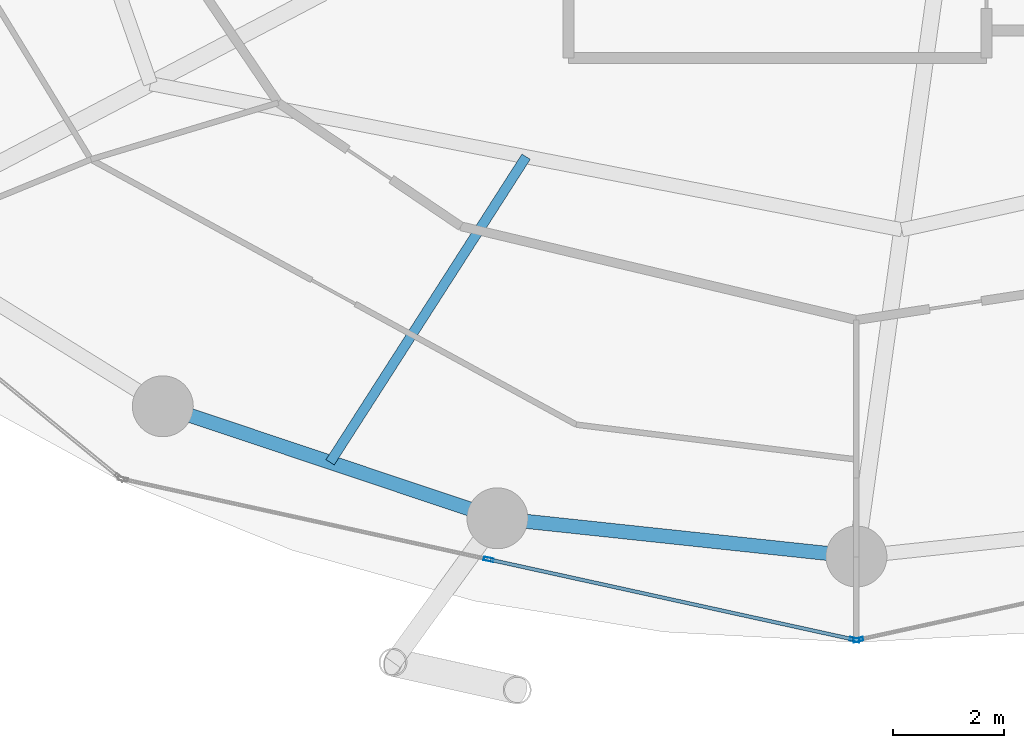
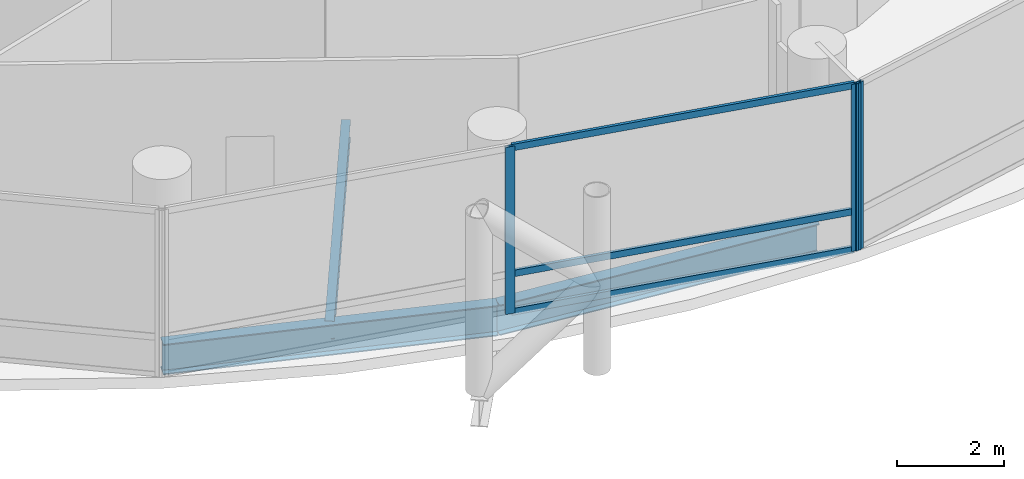
# One storey, part 4 of 25: 6 members, 3 beams, 2 elements without a shape of their own.
"""IFC4 building model written with IfcOpenShell, lengths in metres."""

from ifc_helpers import new_model, si_unit, direction, frame, origin, origin_2d, place, context, subcontext, project, spatial, hollow_rectangle, i_section, extrude, material, layer, layer_set, material_profile, profile_set, type_object, element, aggregate, save


model = new_model("IFC4")

# Units and contexts
model_context = context("Model", 3, precision=1e-05, world=origin(), true_north=direction((0.0, 1.0)))
body_context = subcontext(model_context, "Body", "Model", "MODEL_VIEW")
ifc_project = project(units=[si_unit("LENGTHUNIT", "METRE"), si_unit("AREAUNIT", "SQUARE_METRE"), si_unit("VOLUMEUNIT", "CUBIC_METRE"), si_unit("PLANEANGLEUNIT", "RADIAN"), si_unit("MASSUNIT", "GRAM", prefix="KILO")], contexts=[model_context])

# Site, building, storey
site_placement = place(None, origin())
site = spatial("IfcSite", under=ifc_project, at=site_placement, CompositionType="ELEMENT")
building_placement = place(site_placement, origin())
building = spatial("IfcBuilding", under=site, at=building_placement, Name="Nuhasar Tower", CompositionType="ELEMENT")
storey_placement = place(building_placement, frame((0.0, 0.0, 65.550048828125)))
storey = spatial("IfcBuildingStorey", under=building, at=storey_placement, Name="L15", CompositionType="ELEMENT", Elevation=65.550048828125)

# Beams
ifc_material_1 = material(Name="Steel S355", Category="steel")
ifc_material_profile_1 = material_profile(ifc_material_1, i_section(OverallWidth=0.177978515625, OverallDepth=0.406005859375, WebThickness=0.0078125, FlangeThickness=0.0126953125, at=origin_2d()), Name="W16X40")
ifc_profile_set_1 = profile_set([ifc_material_profile_1], Name="Steel S355")
beam_type_1 = type_object("IfcBeamType", Name="BM-JST-W16X40", PredefinedType="JOIST", material=ifc_profile_set_1)
beam_1_placement = place(storey_placement, frame((33.035888671875, 13.77001953125, -0.453125), z_axis=(-0.539944240715, -0.841700788237, 0.0), x_axis=(0.841700788237, -0.539944240715, 0.0)))
element("IfcBeam", 1, at=beam_1_placement, inside=storey, type_object=beam_type_1, Name="L15 Secondary Floor Joist 01", PredefinedType="JOIST", context=body_context, shape_type="SweptSolid", body=[
    extrude(i_section(OverallWidth=0.177978515625, OverallDepth=0.406005859375, WebThickness=0.0078125, FlangeThickness=0.0126953125, at=origin_2d()), origin(), (0.0, 0.0, 1.0), 6.555908203125),
])
ifc_material_profile_2 = material_profile(ifc_material_1, i_section(OverallWidth=0.256103515625, OverallDepth=0.693115234375, WebThickness=0.014404296875, FlangeThickness=0.023681640625, at=origin_2d()), Name="W27X114")
ifc_profile_set_2 = profile_set([ifc_material_profile_2], Name="Steel S355")
beam_type_2 = type_object("IfcBeamType", Name="BM-RING-W27X114", PredefinedType="SPANDREL", material=ifc_profile_set_2)
beam_2_placement = place(storey_placement, frame((26.47509765625, 9.262939453125, -0.59716796875), z_axis=(0.94826097201, -0.317491935271, 0.0), x_axis=(0.317491935271, 0.94826097201, 0.0)))
element("IfcBeam", 2, at=beam_2_placement, inside=storey, type_object=beam_type_2, Name="L15 Perimeter Ring Spandrel 17", PredefinedType="SPANDREL", context=body_context, shape_type="SweptSolid", body=[
    extrude(i_section(OverallWidth=0.256103515625, OverallDepth=0.693115234375, WebThickness=0.014404296875, FlangeThickness=0.023681640625, at=origin_2d()), origin(), (0.0, 0.0, 1.0), 6.37158203125),
])
beam_3_placement = place(storey_placement, frame((32.51708984375, 7.239990234375, -0.59716796875), z_axis=(0.994384554061, -0.105827022286, 0.0), x_axis=(0.105827022286, 0.994384554061, 0.0)))
element("IfcBeam", 3, at=beam_3_placement, inside=storey, type_object=beam_type_2, Name="L15 Perimeter Ring Spandrel 18", PredefinedType="SPANDREL", context=body_context, shape_type="SweptSolid", body=[
    extrude(i_section(OverallWidth=0.256103515625, OverallDepth=0.693115234375, WebThickness=0.014404296875, FlangeThickness=0.023681640625, at=origin_2d()), origin(), (0.0, 0.0, 1.0), 6.51953125),
])

# Curtain wall, members
ifc_material_2 = material(Name="Aluminium 6063-T6", Category="aluminium")
ifc_layer = layer(ifc_material_2, 0.199951171875)
ifc_layer_set = layer_set([ifc_layer], Name="Aluminium 6063-T6")
curtain_wall_type = type_object("IfcCurtainWallType", Name="CW-Z1-OFF", PredefinedType="NOTDEFINED", material=ifc_layer_set)
curtain_wall_1_placement = place(storey_placement, origin())
curtain_wall_1 = element("IfcCurtainWall", 4, at=curtain_wall_1_placement, inside=storey, type_object=curtain_wall_type, Name="L15 Unitised Curtain Wall 09", PredefinedType="NOTDEFINED")
ifc_material_profile_3 = material_profile(ifc_material_2, hollow_rectangle(XDim=0.06494140625, YDim=0.179931640625, WallThickness=0.0048828125, at=origin_2d()), Name="CWM-2")
ifc_profile_set_3 = profile_set([ifc_material_profile_3], Name="Aluminium 6063-T6")
member_type_1 = type_object("IfcMemberType", Name="CW-MUL-S2", PredefinedType="MULLION", material=ifc_profile_set_3)
member_1_placement = place(storey_placement, frame((32.360107421875, 6.49755859375, 0.0), z_axis=(0.0, 0.0, 1.0), x_axis=(0.214398737637, 0.976746221544, 0.0)))
member_1 = element("IfcMember", 5, at=member_1_placement, type_object=member_type_1, Name="CW-Z1 mullion 2", PredefinedType="MULLION", context=body_context, shape_type="SweptSolid", body=[
    extrude(hollow_rectangle(XDim=0.06494140625, YDim=0.179931640625, WallThickness=0.0048828125, at=origin_2d()), origin(), (0.0, 0.0, 1.0), 3.800048828125),
])
member_2_placement = place(storey_placement, frame((38.96826171875, 5.046875, 0.0), z_axis=(0.0, 0.0, 1.0), x_axis=(0.214398737637, 0.976746221544, 0.0)))
member_2 = element("IfcMember", 6, at=member_2_placement, type_object=member_type_1, Name="CW-Z1 mullion 3", PredefinedType="MULLION", context=body_context, shape_type="SweptSolid", body=[
    extrude(hollow_rectangle(XDim=0.06494140625, YDim=0.179931640625, WallThickness=0.0048828125, at=origin_2d()), origin(), (0.0, 0.0, 1.0), 3.800048828125),
])

# Curtain wall, member
curtain_wall_2_placement = place(storey_placement, origin())
curtain_wall_2 = element("IfcCurtainWall", 7, at=curtain_wall_2_placement, inside=storey, type_object=curtain_wall_type, Name="L15 Unitised Curtain Wall 10", PredefinedType="NOTDEFINED")
member_3_placement = place(storey_placement, frame((39.03173828125, 5.046875, 0.0), z_axis=(0.0, 0.0, 1.0), x_axis=(-0.214398737637, 0.976746221544, 0.0)))
member_3 = element("IfcMember", 8, at=member_3_placement, type_object=member_type_1, Name="CW-Z1 mullion 1", PredefinedType="MULLION", context=body_context, shape_type="SweptSolid", body=[
    extrude(hollow_rectangle(XDim=0.06494140625, YDim=0.179931640625, WallThickness=0.0048828125, at=origin_2d()), origin(), (0.0, 0.0, 1.0), 3.800048828125),
])
aggregate(curtain_wall_2, [member_3])

# Member
ifc_material_profile_4 = material_profile(ifc_material_2, hollow_rectangle(XDim=0.06494140625, YDim=0.14990234375, WallThickness=0.00439453125, at=origin_2d()), Name="CWT-2")
ifc_profile_set_4 = profile_set([ifc_material_profile_4], Name="Aluminium 6063-T6")
member_type_2 = type_object("IfcMemberType", Name="CW-TRN-S2", PredefinedType="USERDEFINED", material=ifc_profile_set_4)
member_4_placement = place(storey_placement, frame((32.391845703125, 6.490478515625, 0.032470703125), z_axis=(0.976747879138, -0.214391185916, 0.0), x_axis=(0.214391185916, 0.976747879138, 0.0)))
member_4 = element("IfcMember", 9, at=member_4_placement, type_object=member_type_2, Name="CW-Z1 transom 2.1", ObjectType="TRANSOM", PredefinedType="USERDEFINED", context=body_context, shape_type="SweptSolid", body=[
    extrude(hollow_rectangle(XDim=0.06494140625, YDim=0.14990234375, WallThickness=0.00439453125, at=origin_2d()), origin(), (0.0, 0.0, 1.0), 6.700439453125),
])

member_5_placement = place(storey_placement, frame((32.391845703125, 6.490478515625, 0.89990234375), z_axis=(0.976747879138, -0.214391185916, 0.0), x_axis=(0.214391185916, 0.976747879138, 0.0)))
member_5 = element("IfcMember", 10, at=member_5_placement, type_object=member_type_2, Name="CW-Z1 transom 2.2", ObjectType="TRANSOM", PredefinedType="USERDEFINED", context=body_context, shape_type="SweptSolid", body=[
    extrude(hollow_rectangle(XDim=0.06494140625, YDim=0.14990234375, WallThickness=0.00439453125, at=origin_2d()), origin(), (0.0, 0.0, 1.0), 6.700439453125),
])

member_6_placement = place(storey_placement, frame((32.391845703125, 6.490478515625, 3.767333984375), z_axis=(0.976747879138, -0.214391185916, 0.0), x_axis=(0.214391185916, 0.976747879138, 0.0)))
member_6 = element("IfcMember", 11, at=member_6_placement, type_object=member_type_2, Name="CW-Z1 transom 2.3", ObjectType="TRANSOM", PredefinedType="USERDEFINED", context=body_context, shape_type="SweptSolid", body=[
    extrude(hollow_rectangle(XDim=0.06494140625, YDim=0.14990234375, WallThickness=0.00439453125, at=origin_2d()), origin(), (0.0, 0.0, 1.0), 6.700439453125),
])

aggregate(curtain_wall_1, [member_1, member_2, member_4, member_5, member_6])

save(model, "model.ifc")
